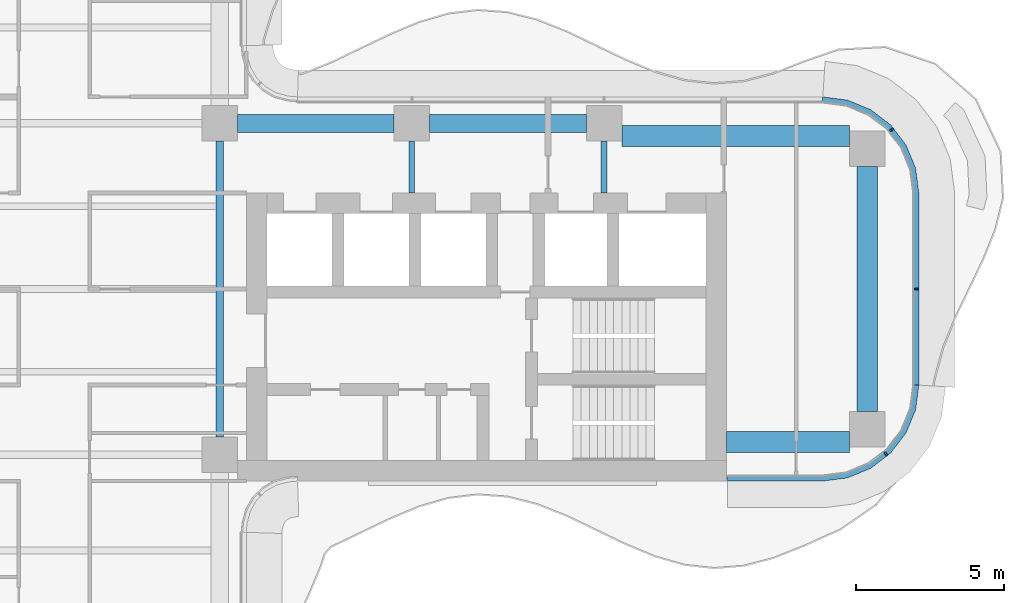
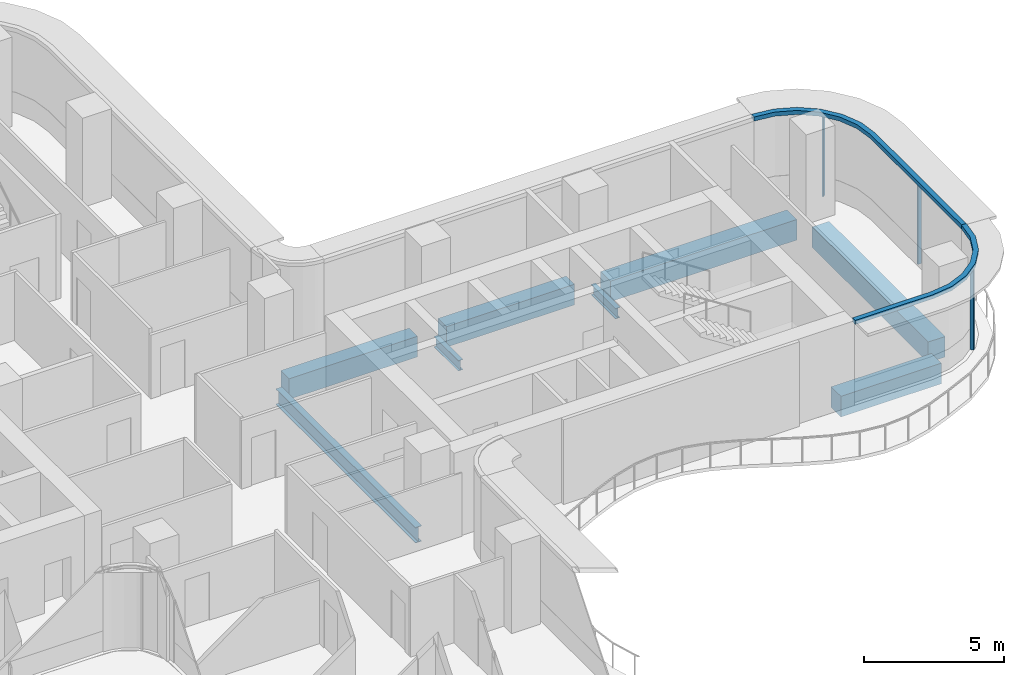
# One storey, part 6 of 18: 8 beams, 5 members, 2 elements without a shape of their own.
"""IFC4 building model written with IfcOpenShell, lengths in metres."""

from ifc_helpers import new_model, si_unit, direction, frame, origin, origin_2d, place, context, subcontext, project, spatial, polyline, rectangle, i_section, outline, extrude, source, transform, mapped, material, layer, layer_set, material_profile, profile_set, type_object, element, aggregate, save


model = new_model("IFC4")

# Units and contexts
model_context = context("Model", 3, precision=1e-05, world=origin(), true_north=direction((0.0, 1.0)))
body_context = subcontext(model_context, "Body", "Model", "MODEL_VIEW")
ifc_project = project(units=[si_unit("LENGTHUNIT", "METRE"), si_unit("AREAUNIT", "SQUARE_METRE"), si_unit("VOLUMEUNIT", "CUBIC_METRE"), si_unit("PLANEANGLEUNIT", "RADIAN"), si_unit("MASSUNIT", "GRAM", prefix="KILO")], contexts=[model_context])

# Site, building, storey
site_placement = place(None, origin())
site = spatial("IfcSite", under=ifc_project, at=site_placement, CompositionType="ELEMENT")
building_placement = place(site_placement, origin())
building = spatial("IfcBuilding", under=site, at=building_placement, Name="Trellis Farm Tower", CompositionType="ELEMENT")
storey_placement = place(building_placement, frame((0.0, 0.0, 177.60009765625)))
storey = spatial("IfcBuildingStorey", under=building, at=storey_placement, Name="L38", CompositionType="ELEMENT", Elevation=177.60009765625)

# Beams
ifc_material_1 = material(Name="Concrete C60/75", Category="concrete")
ifc_material_profile_1 = material_profile(ifc_material_1, rectangle(XDim=0.60009765625, YDim=0.89990234375, at=origin_2d()), Name="RC spandrel beam 600x900 C60/75")
ifc_profile_set_1 = profile_set([ifc_material_profile_1], Name="Concrete C60/75")
beam_type_1 = type_object("IfcBeamType", Name="RC spandrel beam 600x900 C60/75", PredefinedType="SPANDREL", material=ifc_profile_set_1)
shared_shape_1 = source(origin(), body_context, "Body", "SweptSolid", [
    extrude(rectangle(XDim=0.60009765625, YDim=0.89990234375, at=origin_2d()), origin(), (0.0, 0.0, 1.0), 5.300048828125),
])
for number, where, z_axis, x_axis, name in (
    (1, (6.199951171875, 5.60009765625, -0.650146484375), (1.0, 0.0, 0.0), (0.0, 1.0, 0.0), "Girder"),
    (2, (12.699951171875, 5.60009765625, -0.650146484375), (1.0, 0.0, 0.0), (0.0, 1.0, 0.0), "Girder"),
):
    element("IfcBeam", number, at=place(storey_placement, frame(where, z_axis=z_axis, x_axis=x_axis)), inside=storey, type_object=beam_type_1, Name=name, PredefinedType="SPANDREL", context=body_context, shape_type="MappedRepresentation", body=[
        mapped(shared_shape_1, transform((0.0, 0.0, 0.0))),
    ])
ifc_material_2 = material(Name="Steel S355", Category="steel")
ifc_material_profile_2 = material_profile(ifc_material_2, i_section(OverallWidth=0.253662109375, OverallDepth=0.68359375, WebThickness=0.012451171875, FlangeThickness=0.021728515625, FilletRadius=0.01513671875, at=origin_2d()), Name="UB 686x254x140")
ifc_profile_set_2 = profile_set([ifc_material_profile_2], Name="Steel S355")
beam_type_2 = type_object("IfcBeamType", Name="UB 686x254x140", PredefinedType="BEAM", material=ifc_profile_set_2)
shared_shape_2 = source(origin(), body_context, "Body", "SweptSolid", [
    extrude(i_section(OverallWidth=0.253662109375, OverallDepth=0.68359375, WebThickness=0.012451171875, FlangeThickness=0.021728515625, FilletRadius=0.01513671875, at=origin_2d()), origin(), (0.0, 0.0, 1.0), 10.0),
])
beam_1_placement = place(storey_placement, frame((5.60009765625, -5.0, -0.541748046875), z_axis=(0.0, 1.0, 0.0), x_axis=(-1.0, 0.0, 0.0)))
element("IfcBeam", 3, at=beam_1_placement, inside=storey, type_object=beam_type_2, Name="Girder", PredefinedType="BEAM", context=body_context, shape_type="MappedRepresentation", body=[
    mapped(shared_shape_2, transform((0.0, 0.0, 0.0))),
])
ifc_material_profile_3 = material_profile(ifc_material_1, rectangle(XDim=0.699951171875, YDim=0.89990234375, at=origin_2d()), Name="RC spandrel beam 700x900 C60/75")
ifc_profile_set_3 = profile_set([ifc_material_profile_3], Name="Concrete C60/75")
beam_type_3 = type_object("IfcBeamType", Name="RC spandrel beam 700x900 C60/75", PredefinedType="SPANDREL", material=ifc_profile_set_3)
shared_shape_3 = source(origin(), body_context, "Body", "SweptSolid", [
    extrude(rectangle(XDim=0.699951171875, YDim=0.89990234375, at=origin_2d()), origin(), (0.0, 0.0, 1.0), 8.2998046875),
])
beam_2_placement = place(storey_placement, frame((27.5, -4.14990234375, -0.650146484375), z_axis=(0.0, 1.0, 0.0), x_axis=(-1.0, 0.0, 0.0)))
element("IfcBeam", 4, at=beam_2_placement, inside=storey, type_object=beam_type_3, Name="Girder", PredefinedType="SPANDREL", context=body_context, shape_type="MappedRepresentation", body=[
    mapped(shared_shape_3, transform((0.0, 0.0, 0.0))),
])
ifc_material_profile_4 = material_profile(ifc_material_2, i_section(OverallWidth=0.1904296875, OverallDepth=0.45703125, WebThickness=0.009033203125, FlangeThickness=0.014404296875, FilletRadius=0.01025390625, at=origin_2d()), Name="UB 457x191x74")
ifc_profile_set_4 = profile_set([ifc_material_profile_4], Name="Steel S355")
beam_type_4 = type_object("IfcBeamType", Name="UB 457x191x74", PredefinedType="BEAM", material=ifc_profile_set_4)
shared_shape_4 = source(origin(), body_context, "Body", "SweptSolid", [
    extrude(i_section(OverallWidth=0.1904296875, OverallDepth=0.45703125, WebThickness=0.009033203125, FlangeThickness=0.014404296875, FilletRadius=0.01025390625, at=origin_2d()), origin(), (0.0, 0.0, 1.0), 1.75),
])
for number, where, z_axis, x_axis, name in (
    (5, (12.10009765625, 3.25, -0.4287109375), (0.0, 1.0, 0.0), (-1.0, 0.0, 0.0), "Girder"),
    (6, (18.60009765625, 3.25, -0.4287109375), (0.0, 1.0, 0.0), (-1.0, 0.0, 0.0), "Girder"),
):
    element("IfcBeam", number, at=place(storey_placement, frame(where, z_axis=z_axis, x_axis=x_axis)), inside=storey, type_object=beam_type_4, Name=name, PredefinedType="BEAM", context=body_context, shape_type="MappedRepresentation", body=[
        mapped(shared_shape_4, transform((0.0, 0.0, 0.0))),
    ])
shared_shape_5 = source(origin(), body_context, "Body", "SweptSolid", [
    extrude(rectangle(XDim=0.699951171875, YDim=0.89990234375, at=origin_2d()), origin(), (0.0, 0.0, 1.0), 7.699951171875),
])
beam_3_placement = place(storey_placement, frame((19.199951171875, 5.175048828125, -0.650146484375), z_axis=(1.0, 0.0, 0.0), x_axis=(0.0, 1.0, 0.0)))
element("IfcBeam", 7, at=beam_3_placement, inside=storey, type_object=beam_type_3, Name="Girder", PredefinedType="SPANDREL", context=body_context, shape_type="MappedRepresentation", body=[
    mapped(shared_shape_5, transform((0.0, 0.0, 0.0))),
])
shared_shape_6 = source(origin(), body_context, "Body", "SweptSolid", [
    extrude(rectangle(XDim=0.699951171875, YDim=0.89990234375, at=origin_2d()), origin(), (0.0, 0.0, 1.0), 4.14990234375),
])
beam_4_placement = place(storey_placement, frame((22.75, -5.175048828125, -0.650146484375), z_axis=(1.0, 0.0, 0.0), x_axis=(0.0, 1.0, 0.0)))
element("IfcBeam", 8, at=beam_4_placement, inside=storey, type_object=beam_type_3, Name="Girder", PredefinedType="SPANDREL", context=body_context, shape_type="MappedRepresentation", body=[
    mapped(shared_shape_6, transform((0.0, 0.0, 0.0))),
])

# Curtain wall, member
ifc_material_3 = material(Name="Aluminium and glass curtain wall", Category="aluminium")
ifc_layer_1 = layer(ifc_material_3, 0.18994140625)
ifc_layer_set_1 = layer_set([ifc_layer_1], Name="RIBBON CURTAIN WALL CW1")
curtain_wall_type = type_object("IfcCurtainWallType", Name="RIBBON CURTAIN WALL CW1", PredefinedType="NOTDEFINED", material=ifc_layer_set_1)
placement_1 = place(storey_placement, origin())
curtain_wall_1 = element("IfcCurtainWall", 9, at=placement_1, inside=storey, type_object=curtain_wall_type, Name="CW1 006", PredefinedType="NOTDEFINED")
ifc_material_4 = material(Name="Aluminium extrusion 6063-T6", Category="aluminium")
ifc_layer_2 = layer(ifc_material_4, 0.199951171875)
ifc_layer_set_2 = layer_set([ifc_layer_2], Name="Aluminium extrusion 6063-T6")
member_type_1 = type_object("IfcMemberType", Name="CW1 TRANSOM 200x180", PredefinedType="USERDEFINED", material=ifc_layer_set_2)
shared_shape_7 = source(origin(), body_context, "Body", "SweptSolid", [
    extrude(outline(polyline([(22.780029296875, -6.5), (26.0, -6.5), (26.841064453125, -6.38916015625), (27.625, -6.064697265625), (28.298095703125, -5.548095703125), (28.814697265625, -4.875), (29.13916015625, -4.091064453125), (29.25, -3.25), (29.050048828125, -3.23681640625), (28.9443359375, -4.0390625), (28.639892578125, -4.774169921875), (28.155517578125, -5.405517578125), (27.524169921875, -5.889892578125), (26.7890625, -6.1943359375), (25.98681640625, -6.300048828125), (22.780029296875, -6.300048828125), (22.780029296875, -6.5)])), origin(), (0.0, 0.0, 1.0), 0.179931640625),
])
placement_2 = place(storey_placement, frame((0.0, 0.0, 3.52001953125)))
member_1 = element("IfcMember", 10, at=placement_2, type_object=member_type_1, Name="TR1 006", ObjectType="TRANSOM", PredefinedType="USERDEFINED", context=body_context, shape_type="MappedRepresentation", body=[
    mapped(shared_shape_7, transform((0.0, 0.0, 0.0))),
])

curtain_wall_2 = element("IfcCurtainWall", 11, at=placement_1, inside=storey, type_object=curtain_wall_type, Name="CW1 007", PredefinedType="NOTDEFINED")
shared_shape_8 = source(origin(), body_context, "Body", "SweptSolid", [
    extrude(outline(polyline([(29.25, -3.25), (29.25, 3.25), (29.13916015625, 4.091064453125), (28.814697265625, 4.875), (28.298095703125, 5.548095703125), (27.625, 6.064697265625), (26.841064453125, 6.38916015625), (26.0, 6.5), (25.98681640625, 6.300048828125), (26.7890625, 6.1943359375), (27.524169921875, 5.889892578125), (28.155517578125, 5.405517578125), (28.639892578125, 4.774169921875), (28.9443359375, 4.0390625), (29.050048828125, 3.23681640625), (29.050048828125, -3.23681640625), (29.25, -3.25)])), origin(), (0.0, 0.0, 1.0), 0.179931640625),
])
member_2 = element("IfcMember", 12, at=placement_2, type_object=member_type_1, Name="TR1 007", ObjectType="TRANSOM", PredefinedType="USERDEFINED", context=body_context, shape_type="MappedRepresentation", body=[
    mapped(shared_shape_8, transform((0.0, 0.0, 0.0))),
])

# Member
ifc_material_profile_5 = material_profile(ifc_material_4, rectangle(XDim=0.06005859375, YDim=0.14990234375, at=origin_2d()), Name="MULLION 60x150")
ifc_profile_set_5 = profile_set([ifc_material_profile_5], Name="Aluminium extrusion 6063-T6")
member_type_2 = type_object("IfcMemberType", Name="CW1 MULLION 60x150", PredefinedType="MULLION", material=ifc_profile_set_5)
shared_shape_9 = source(origin(), body_context, "Body", "SweptSolid", [
    extrude(rectangle(XDim=0.06005859375, YDim=0.14990234375, at=origin_2d()), origin(), (0.0, 0.0, 1.0), 3.52001953125),
])
member_3_placement = place(storey_placement, frame((28.135498046875, -5.578369140625, 0.0), z_axis=(0.0, 0.0, 1.0), x_axis=(0.793353340291, 0.608761429009, 0.0)))
member_3 = element("IfcMember", 13, at=member_3_placement, type_object=member_type_2, Name="MU1 006-01", PredefinedType="MULLION", context=body_context, shape_type="MappedRepresentation", body=[
    mapped(shared_shape_9, transform((0.0, 0.0, 0.0))),
])

aggregate(curtain_wall_1, [member_3, member_1])

member_4_placement = place(storey_placement, frame((29.175048828125, 0.0, 0.0), z_axis=(0.0, 0.0, 1.0), x_axis=(0.0, 1.0, 0.0)))
member_4 = element("IfcMember", 14, at=member_4_placement, type_object=member_type_2, Name="MU1 007-01", PredefinedType="MULLION", context=body_context, shape_type="MappedRepresentation", body=[
    mapped(shared_shape_9, transform((0.0, 0.0, 0.0))),
])

member_5_placement = place(storey_placement, frame((28.328369140625, 5.385498046875, 0.0), z_axis=(0.0, 0.0, 1.0), x_axis=(-0.608761429009, 0.793353340291, 0.0)))
member_5 = element("IfcMember", 15, at=member_5_placement, type_object=member_type_2, Name="MU1 007-02", PredefinedType="MULLION", context=body_context, shape_type="MappedRepresentation", body=[
    mapped(shared_shape_9, transform((0.0, 0.0, 0.0))),
])

aggregate(curtain_wall_2, [member_4, member_5, member_2])

save(model, "model.ifc")
